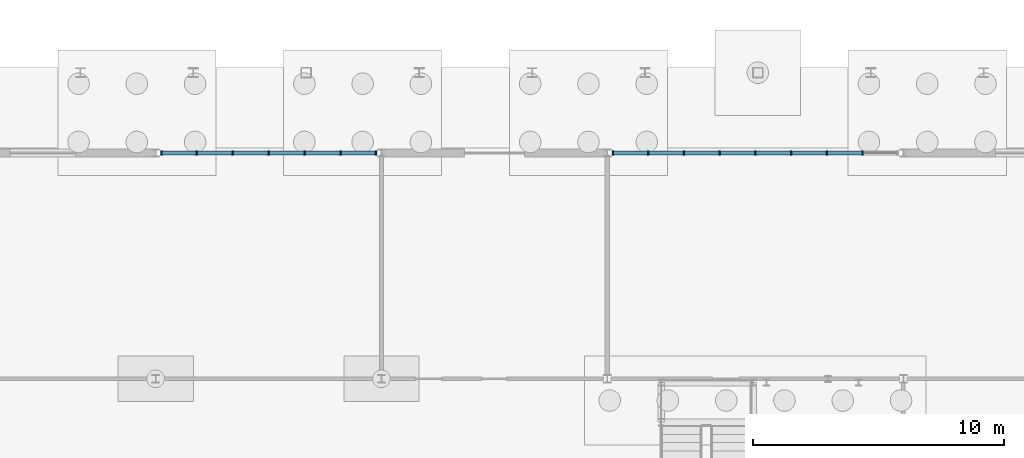
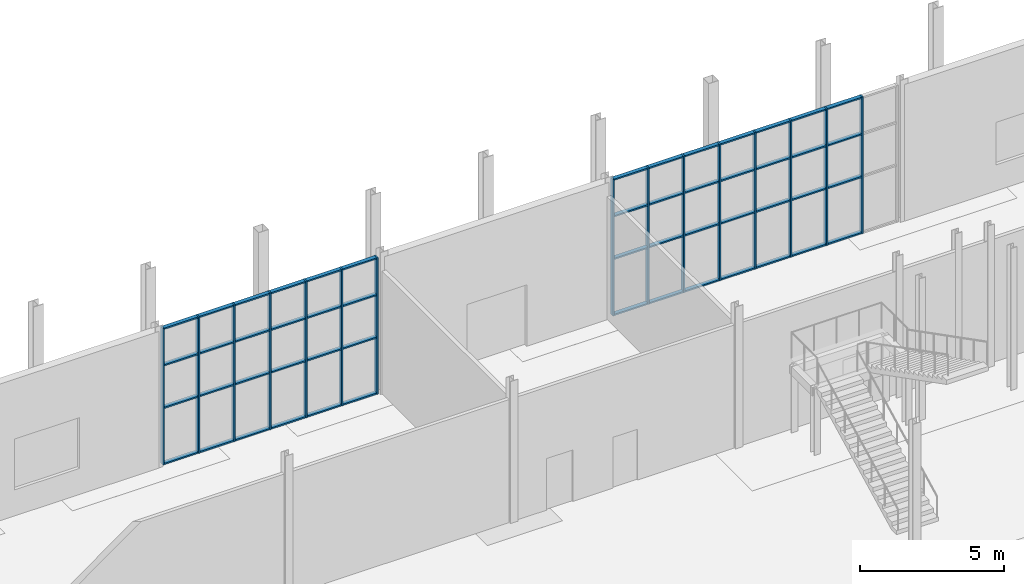
# One storey, part 70 of 131: 67 members, 2 elements without a shape of their own.
"""IFC4 building model written with IfcOpenShell, lengths in metres."""

from ifc_helpers import new_model, si_unit, direction, frame, origin, origin_2d, place, context, subcontext, project, spatial, rectangle, extrude, material, layer, layer_set, material_profile, profile_set, type_object, element, aggregate, save


model = new_model("IFC4")

# Units and contexts
model_context = context("Model", 3, precision=1e-05, world=origin(), true_north=direction((0.0, 1.0)))
body_context = subcontext(model_context, "Body", "Model", "MODEL_VIEW")
ifc_project = project(units=[si_unit("LENGTHUNIT", "METRE"), si_unit("AREAUNIT", "SQUARE_METRE"), si_unit("VOLUMEUNIT", "CUBIC_METRE"), si_unit("PLANEANGLEUNIT", "RADIAN"), si_unit("MASSUNIT", "GRAM", prefix="KILO")], contexts=[model_context])

# Site, building, storey
site_placement = place(None, origin())
site = spatial("IfcSite", under=ifc_project, at=site_placement, CompositionType="ELEMENT")
building_placement = place(site_placement, origin())
building = spatial("IfcBuilding", under=site, at=building_placement, Name="Cazmaro Siding Exhibition Halls", CompositionType="ELEMENT")
storey_placement = place(building_placement, origin())
storey = spatial("IfcBuildingStorey", under=building, at=storey_placement, Name="L00", CompositionType="ELEMENT", Elevation=0.0)

# Curtain wall, members
ifc_material_1 = material(Name="Anodized Bronze Aluminum and Solar-Control Low-E Glazing", Category="aluminium")
ifc_layer = layer(ifc_material_1, 0.179931640625)
ifc_layer_set = layer_set([ifc_layer], Name="Anodized Bronze Aluminum and Solar-Control Low-E Glazing")
curtain_wall_type = type_object("IfcCurtainWallType", Name="CWS-01", PredefinedType="USERDEFINED", material=ifc_layer_set)
curtain_wall_1_placement = place(storey_placement, origin())
curtain_wall_1 = element("IfcCurtainWall", 1, at=curtain_wall_1_placement, inside=storey, type_object=curtain_wall_type, Name="Glazed Curtain Wall CWS-01 CW-038", ObjectType="GLAZED CURTAIN WALL", PredefinedType="USERDEFINED")
ifc_material_2 = material(Name="Anodized Bronze Extruded Aluminum", Category="aluminium")
ifc_material_profile_1 = material_profile(ifc_material_2, rectangle(XDim=0.179931640625, YDim=0.06005859375, at=origin_2d()), Name="CWM-01")
ifc_profile_set_1 = profile_set([ifc_material_profile_1], Name="Anodized Bronze Extruded Aluminum")
member_type_1 = type_object("IfcMemberType", Name="CWM-01", PredefinedType="MULLION", material=ifc_profile_set_1)
member_1_placement = place(storey_placement, frame((137.77294921875, 120.800048828125, 0.0), z_axis=(0.0, 0.0, 1.0), x_axis=(0.0, -1.0, 0.0)))
member_1 = element("IfcMember", 2, at=member_1_placement, type_object=member_type_1, Name="CWS-01 mullion 1", PredefinedType="MULLION", context=body_context, shape_type="SweptSolid", body=[
    extrude(rectangle(XDim=0.179931640625, YDim=0.06005859375, at=origin_2d()), origin(), (0.0, 0.0, 1.0), 5.780029296875),
])
member_2_placement = place(storey_placement, frame((136.36865234375, 120.800048828125, 0.0), z_axis=(0.0, 0.0, 1.0), x_axis=(0.0, -1.0, 0.0)))
member_2 = element("IfcMember", 3, at=member_2_placement, type_object=member_type_1, Name="CWS-01 mullion 2", PredefinedType="MULLION", context=body_context, shape_type="SweptSolid", body=[
    extrude(rectangle(XDim=0.179931640625, YDim=0.06005859375, at=origin_2d()), origin(), (0.0, 0.0, 1.0), 5.780029296875),
])
member_3_placement = place(storey_placement, frame((134.934326171875, 120.800048828125, 0.0), z_axis=(0.0, 0.0, 1.0), x_axis=(0.0, -1.0, 0.0)))
member_3 = element("IfcMember", 4, at=member_3_placement, type_object=member_type_1, Name="CWS-01 mullion 3", PredefinedType="MULLION", context=body_context, shape_type="SweptSolid", body=[
    extrude(rectangle(XDim=0.179931640625, YDim=0.06005859375, at=origin_2d()), origin(), (0.0, 0.0, 1.0), 5.780029296875),
])
member_4_placement = place(storey_placement, frame((133.5, 120.800048828125, 0.0), z_axis=(0.0, 0.0, 1.0), x_axis=(0.0, -1.0, 0.0)))
member_4 = element("IfcMember", 5, at=member_4_placement, type_object=member_type_1, Name="CWS-01 mullion 4", PredefinedType="MULLION", context=body_context, shape_type="SweptSolid", body=[
    extrude(rectangle(XDim=0.179931640625, YDim=0.06005859375, at=origin_2d()), origin(), (0.0, 0.0, 1.0), 5.780029296875),
])
member_5_placement = place(storey_placement, frame((132.065673828125, 120.800048828125, 0.0), z_axis=(0.0, 0.0, 1.0), x_axis=(0.0, -1.0, 0.0)))
member_5 = element("IfcMember", 6, at=member_5_placement, type_object=member_type_1, Name="CWS-01 mullion 5", PredefinedType="MULLION", context=body_context, shape_type="SweptSolid", body=[
    extrude(rectangle(XDim=0.179931640625, YDim=0.06005859375, at=origin_2d()), origin(), (0.0, 0.0, 1.0), 5.780029296875),
])
member_6_placement = place(storey_placement, frame((130.63134765625, 120.800048828125, 0.0), z_axis=(0.0, 0.0, 1.0), x_axis=(0.0, -1.0, 0.0)))
member_6 = element("IfcMember", 7, at=member_6_placement, type_object=member_type_1, Name="CWS-01 mullion 6", PredefinedType="MULLION", context=body_context, shape_type="SweptSolid", body=[
    extrude(rectangle(XDim=0.179931640625, YDim=0.06005859375, at=origin_2d()), origin(), (0.0, 0.0, 1.0), 5.780029296875),
])
member_7_placement = place(storey_placement, frame((129.22705078125, 120.800048828125, 0.0), z_axis=(0.0, 0.0, 1.0), x_axis=(0.0, -1.0, 0.0)))
member_7 = element("IfcMember", 8, at=member_7_placement, type_object=member_type_1, Name="CWS-01 mullion 7", PredefinedType="MULLION", context=body_context, shape_type="SweptSolid", body=[
    extrude(rectangle(XDim=0.179931640625, YDim=0.06005859375, at=origin_2d()), origin(), (0.0, 0.0, 1.0), 5.780029296875),
])

curtain_wall_2_placement = place(storey_placement, origin())
curtain_wall_2 = element("IfcCurtainWall", 9, at=curtain_wall_2_placement, inside=storey, type_object=curtain_wall_type, Name="Glazed Curtain Wall CWS-01 CW-046", ObjectType="GLAZED CURTAIN WALL", PredefinedType="USERDEFINED")
member_8_placement = place(storey_placement, frame((157.17724609375, 120.800048828125, 0.0), z_axis=(0.0, 0.0, 1.0), x_axis=(0.0, -1.0, 0.0)))
member_8 = element("IfcMember", 10, at=member_8_placement, type_object=member_type_1, Name="CWS-01 mullion 2", PredefinedType="MULLION", context=body_context, shape_type="SweptSolid", body=[
    extrude(rectangle(XDim=0.179931640625, YDim=0.06005859375, at=origin_2d()), origin(), (0.0, 0.0, 1.0), 5.780029296875),
])
member_9_placement = place(storey_placement, frame((155.75146484375, 120.800048828125, 0.0), z_axis=(0.0, 0.0, 1.0), x_axis=(0.0, -1.0, 0.0)))
member_9 = element("IfcMember", 11, at=member_9_placement, type_object=member_type_1, Name="CWS-01 mullion 3", PredefinedType="MULLION", context=body_context, shape_type="SweptSolid", body=[
    extrude(rectangle(XDim=0.179931640625, YDim=0.06005859375, at=origin_2d()), origin(), (0.0, 0.0, 1.0), 5.780029296875),
])
member_10_placement = place(storey_placement, frame((154.32568359375, 120.800048828125, 0.0), z_axis=(0.0, 0.0, 1.0), x_axis=(0.0, -1.0, 0.0)))
member_10 = element("IfcMember", 12, at=member_10_placement, type_object=member_type_1, Name="CWS-01 mullion 4", PredefinedType="MULLION", context=body_context, shape_type="SweptSolid", body=[
    extrude(rectangle(XDim=0.179931640625, YDim=0.06005859375, at=origin_2d()), origin(), (0.0, 0.0, 1.0), 5.780029296875),
])
member_11_placement = place(storey_placement, frame((152.89990234375, 120.800048828125, 0.0), z_axis=(0.0, 0.0, 1.0), x_axis=(0.0, -1.0, 0.0)))
member_11 = element("IfcMember", 13, at=member_11_placement, type_object=member_type_1, Name="CWS-01 mullion 5", PredefinedType="MULLION", context=body_context, shape_type="SweptSolid", body=[
    extrude(rectangle(XDim=0.179931640625, YDim=0.06005859375, at=origin_2d()), origin(), (0.0, 0.0, 1.0), 5.780029296875),
])
member_12_placement = place(storey_placement, frame((151.474365234375, 120.800048828125, 0.0), z_axis=(0.0, 0.0, 1.0), x_axis=(0.0, -1.0, 0.0)))
member_12 = element("IfcMember", 14, at=member_12_placement, type_object=member_type_1, Name="CWS-01 mullion 6", PredefinedType="MULLION", context=body_context, shape_type="SweptSolid", body=[
    extrude(rectangle(XDim=0.179931640625, YDim=0.06005859375, at=origin_2d()), origin(), (0.0, 0.0, 1.0), 5.780029296875),
])
member_13_placement = place(storey_placement, frame((150.048583984375, 120.800048828125, 0.0), z_axis=(0.0, 0.0, 1.0), x_axis=(0.0, -1.0, 0.0)))
member_13 = element("IfcMember", 15, at=member_13_placement, type_object=member_type_1, Name="CWS-01 mullion 7", PredefinedType="MULLION", context=body_context, shape_type="SweptSolid", body=[
    extrude(rectangle(XDim=0.179931640625, YDim=0.06005859375, at=origin_2d()), origin(), (0.0, 0.0, 1.0), 5.780029296875),
])
member_14_placement = place(storey_placement, frame((148.622802734375, 120.800048828125, 0.0), z_axis=(0.0, 0.0, 1.0), x_axis=(0.0, -1.0, 0.0)))
member_14 = element("IfcMember", 16, at=member_14_placement, type_object=member_type_1, Name="CWS-01 mullion 8", PredefinedType="MULLION", context=body_context, shape_type="SweptSolid", body=[
    extrude(rectangle(XDim=0.179931640625, YDim=0.06005859375, at=origin_2d()), origin(), (0.0, 0.0, 1.0), 5.780029296875),
])
member_15_placement = place(storey_placement, frame((147.22705078125, 120.800048828125, 0.0), z_axis=(0.0, 0.0, 1.0), x_axis=(0.0, -1.0, 0.0)))
member_15 = element("IfcMember", 17, at=member_15_placement, type_object=member_type_1, Name="CWS-01 mullion 9", PredefinedType="MULLION", context=body_context, shape_type="SweptSolid", body=[
    extrude(rectangle(XDim=0.179931640625, YDim=0.06005859375, at=origin_2d()), origin(), (0.0, 0.0, 1.0), 5.780029296875),
])

# Member
ifc_material_3 = material(Name="Anodized Bronze Extruded Aluminum", Category="aluminium")
ifc_material_profile_2 = material_profile(ifc_material_3, rectangle(XDim=0.159912109375, YDim=0.06005859375, at=origin_2d()), Name="CWT-01")
ifc_profile_set_2 = profile_set([ifc_material_profile_2], Name="Anodized Bronze Extruded Aluminum")
member_type_2 = type_object("IfcMemberType", Name="CWT-01", PredefinedType="MULLION", material=ifc_profile_set_2)
member_16_placement = place(storey_placement, frame((137.742919921875, 120.800048828125, 0.030029296875), z_axis=(-1.0, 0.0, 0.0), x_axis=(0.0, -1.0, 0.0)))
member_16 = element("IfcMember", 18, at=member_16_placement, type_object=member_type_2, Name="CWS-01 transom 1.1", ObjectType="TRANSOM", PredefinedType="USERDEFINED", context=body_context, shape_type="SweptSolid", body=[
    extrude(rectangle(XDim=0.159912109375, YDim=0.06005859375, at=origin_2d()), origin(), (0.0, 0.0, 1.0), 1.34423828125),
])

member_17_placement = place(storey_placement, frame((137.742919921875, 120.800048828125, 2.39990234375), z_axis=(-1.0, 0.0, 0.0), x_axis=(0.0, -1.0, 0.0)))
member_17 = element("IfcMember", 19, at=member_17_placement, type_object=member_type_2, Name="CWS-01 transom 1.2", ObjectType="TRANSOM", PredefinedType="USERDEFINED", context=body_context, shape_type="SweptSolid", body=[
    extrude(rectangle(XDim=0.159912109375, YDim=0.06005859375, at=origin_2d()), origin(), (0.0, 0.0, 1.0), 1.34423828125),
])

member_18_placement = place(storey_placement, frame((137.742919921875, 120.800048828125, 4.199951171875), z_axis=(-1.0, 0.0, 0.0), x_axis=(0.0, -1.0, 0.0)))
member_18 = element("IfcMember", 20, at=member_18_placement, type_object=member_type_2, Name="CWS-01 transom 1.3", ObjectType="TRANSOM", PredefinedType="USERDEFINED", context=body_context, shape_type="SweptSolid", body=[
    extrude(rectangle(XDim=0.159912109375, YDim=0.06005859375, at=origin_2d()), origin(), (0.0, 0.0, 1.0), 1.34423828125),
])

member_19_placement = place(storey_placement, frame((137.742919921875, 120.800048828125, 5.75), z_axis=(-1.0, 0.0, 0.0), x_axis=(0.0, -1.0, 0.0)))
member_19 = element("IfcMember", 21, at=member_19_placement, type_object=member_type_2, Name="CWS-01 transom 1.4", ObjectType="TRANSOM", PredefinedType="USERDEFINED", context=body_context, shape_type="SweptSolid", body=[
    extrude(rectangle(XDim=0.159912109375, YDim=0.06005859375, at=origin_2d()), origin(), (0.0, 0.0, 1.0), 1.34423828125),
])

member_20_placement = place(storey_placement, frame((136.338623046875, 120.800048828125, 0.030029296875), z_axis=(-1.0, 0.0, 0.0), x_axis=(0.0, -1.0, 0.0)))
member_20 = element("IfcMember", 22, at=member_20_placement, type_object=member_type_2, Name="CWS-01 transom 2.1", ObjectType="TRANSOM", PredefinedType="USERDEFINED", context=body_context, shape_type="SweptSolid", body=[
    extrude(rectangle(XDim=0.159912109375, YDim=0.06005859375, at=origin_2d()), origin(), (0.0, 0.0, 1.0), 1.374267578125),
])

member_21_placement = place(storey_placement, frame((136.338623046875, 120.800048828125, 2.39990234375), z_axis=(-1.0, 0.0, 0.0), x_axis=(0.0, -1.0, 0.0)))
member_21 = element("IfcMember", 23, at=member_21_placement, type_object=member_type_2, Name="CWS-01 transom 2.2", ObjectType="TRANSOM", PredefinedType="USERDEFINED", context=body_context, shape_type="SweptSolid", body=[
    extrude(rectangle(XDim=0.159912109375, YDim=0.06005859375, at=origin_2d()), origin(), (0.0, 0.0, 1.0), 1.374267578125),
])

member_22_placement = place(storey_placement, frame((136.338623046875, 120.800048828125, 4.199951171875), z_axis=(-1.0, 0.0, 0.0), x_axis=(0.0, -1.0, 0.0)))
member_22 = element("IfcMember", 24, at=member_22_placement, type_object=member_type_2, Name="CWS-01 transom 2.3", ObjectType="TRANSOM", PredefinedType="USERDEFINED", context=body_context, shape_type="SweptSolid", body=[
    extrude(rectangle(XDim=0.159912109375, YDim=0.06005859375, at=origin_2d()), origin(), (0.0, 0.0, 1.0), 1.374267578125),
])

member_23_placement = place(storey_placement, frame((136.338623046875, 120.800048828125, 5.75), z_axis=(-1.0, 0.0, 0.0), x_axis=(0.0, -1.0, 0.0)))
member_23 = element("IfcMember", 25, at=member_23_placement, type_object=member_type_2, Name="CWS-01 transom 2.4", ObjectType="TRANSOM", PredefinedType="USERDEFINED", context=body_context, shape_type="SweptSolid", body=[
    extrude(rectangle(XDim=0.159912109375, YDim=0.06005859375, at=origin_2d()), origin(), (0.0, 0.0, 1.0), 1.374267578125),
])

member_24_placement = place(storey_placement, frame((134.904296875, 120.800048828125, 0.030029296875), z_axis=(-1.0, 0.0, 0.0), x_axis=(0.0, -1.0, 0.0)))
member_24 = element("IfcMember", 26, at=member_24_placement, type_object=member_type_2, Name="CWS-01 transom 3.1", ObjectType="TRANSOM", PredefinedType="USERDEFINED", context=body_context, shape_type="SweptSolid", body=[
    extrude(rectangle(XDim=0.159912109375, YDim=0.06005859375, at=origin_2d()), origin(), (0.0, 0.0, 1.0), 1.374267578125),
])

member_25_placement = place(storey_placement, frame((134.904296875, 120.800048828125, 2.39990234375), z_axis=(-1.0, 0.0, 0.0), x_axis=(0.0, -1.0, 0.0)))
member_25 = element("IfcMember", 27, at=member_25_placement, type_object=member_type_2, Name="CWS-01 transom 3.2", ObjectType="TRANSOM", PredefinedType="USERDEFINED", context=body_context, shape_type="SweptSolid", body=[
    extrude(rectangle(XDim=0.159912109375, YDim=0.06005859375, at=origin_2d()), origin(), (0.0, 0.0, 1.0), 1.374267578125),
])

member_26_placement = place(storey_placement, frame((134.904296875, 120.800048828125, 4.199951171875), z_axis=(-1.0, 0.0, 0.0), x_axis=(0.0, -1.0, 0.0)))
member_26 = element("IfcMember", 28, at=member_26_placement, type_object=member_type_2, Name="CWS-01 transom 3.3", ObjectType="TRANSOM", PredefinedType="USERDEFINED", context=body_context, shape_type="SweptSolid", body=[
    extrude(rectangle(XDim=0.159912109375, YDim=0.06005859375, at=origin_2d()), origin(), (0.0, 0.0, 1.0), 1.374267578125),
])

member_27_placement = place(storey_placement, frame((134.904296875, 120.800048828125, 5.75), z_axis=(-1.0, 0.0, 0.0), x_axis=(0.0, -1.0, 0.0)))
member_27 = element("IfcMember", 29, at=member_27_placement, type_object=member_type_2, Name="CWS-01 transom 3.4", ObjectType="TRANSOM", PredefinedType="USERDEFINED", context=body_context, shape_type="SweptSolid", body=[
    extrude(rectangle(XDim=0.159912109375, YDim=0.06005859375, at=origin_2d()), origin(), (0.0, 0.0, 1.0), 1.374267578125),
])

member_28_placement = place(storey_placement, frame((133.469970703125, 120.800048828125, 0.030029296875), z_axis=(-1.0, 0.0, 0.0), x_axis=(0.0, -1.0, 0.0)))
member_28 = element("IfcMember", 30, at=member_28_placement, type_object=member_type_2, Name="CWS-01 transom 4.1", ObjectType="TRANSOM", PredefinedType="USERDEFINED", context=body_context, shape_type="SweptSolid", body=[
    extrude(rectangle(XDim=0.159912109375, YDim=0.06005859375, at=origin_2d()), origin(), (0.0, 0.0, 1.0), 1.374267578125),
])

member_29_placement = place(storey_placement, frame((133.469970703125, 120.800048828125, 2.39990234375), z_axis=(-1.0, 0.0, 0.0), x_axis=(0.0, -1.0, 0.0)))
member_29 = element("IfcMember", 31, at=member_29_placement, type_object=member_type_2, Name="CWS-01 transom 4.2", ObjectType="TRANSOM", PredefinedType="USERDEFINED", context=body_context, shape_type="SweptSolid", body=[
    extrude(rectangle(XDim=0.159912109375, YDim=0.06005859375, at=origin_2d()), origin(), (0.0, 0.0, 1.0), 1.374267578125),
])

member_30_placement = place(storey_placement, frame((133.469970703125, 120.800048828125, 4.199951171875), z_axis=(-1.0, 0.0, 0.0), x_axis=(0.0, -1.0, 0.0)))
member_30 = element("IfcMember", 32, at=member_30_placement, type_object=member_type_2, Name="CWS-01 transom 4.3", ObjectType="TRANSOM", PredefinedType="USERDEFINED", context=body_context, shape_type="SweptSolid", body=[
    extrude(rectangle(XDim=0.159912109375, YDim=0.06005859375, at=origin_2d()), origin(), (0.0, 0.0, 1.0), 1.374267578125),
])

member_31_placement = place(storey_placement, frame((133.469970703125, 120.800048828125, 5.75), z_axis=(-1.0, 0.0, 0.0), x_axis=(0.0, -1.0, 0.0)))
member_31 = element("IfcMember", 33, at=member_31_placement, type_object=member_type_2, Name="CWS-01 transom 4.4", ObjectType="TRANSOM", PredefinedType="USERDEFINED", context=body_context, shape_type="SweptSolid", body=[
    extrude(rectangle(XDim=0.159912109375, YDim=0.06005859375, at=origin_2d()), origin(), (0.0, 0.0, 1.0), 1.374267578125),
])

member_32_placement = place(storey_placement, frame((132.03564453125, 120.800048828125, 0.030029296875), z_axis=(-1.0, 0.0, 0.0), x_axis=(0.0, -1.0, 0.0)))
member_32 = element("IfcMember", 34, at=member_32_placement, type_object=member_type_2, Name="CWS-01 transom 5.1", ObjectType="TRANSOM", PredefinedType="USERDEFINED", context=body_context, shape_type="SweptSolid", body=[
    extrude(rectangle(XDim=0.159912109375, YDim=0.06005859375, at=origin_2d()), origin(), (0.0, 0.0, 1.0), 1.374267578125),
])

member_33_placement = place(storey_placement, frame((132.03564453125, 120.800048828125, 2.39990234375), z_axis=(-1.0, 0.0, 0.0), x_axis=(0.0, -1.0, 0.0)))
member_33 = element("IfcMember", 35, at=member_33_placement, type_object=member_type_2, Name="CWS-01 transom 5.2", ObjectType="TRANSOM", PredefinedType="USERDEFINED", context=body_context, shape_type="SweptSolid", body=[
    extrude(rectangle(XDim=0.159912109375, YDim=0.06005859375, at=origin_2d()), origin(), (0.0, 0.0, 1.0), 1.374267578125),
])

member_34_placement = place(storey_placement, frame((132.03564453125, 120.800048828125, 4.199951171875), z_axis=(-1.0, 0.0, 0.0), x_axis=(0.0, -1.0, 0.0)))
member_34 = element("IfcMember", 36, at=member_34_placement, type_object=member_type_2, Name="CWS-01 transom 5.3", ObjectType="TRANSOM", PredefinedType="USERDEFINED", context=body_context, shape_type="SweptSolid", body=[
    extrude(rectangle(XDim=0.159912109375, YDim=0.06005859375, at=origin_2d()), origin(), (0.0, 0.0, 1.0), 1.374267578125),
])

member_35_placement = place(storey_placement, frame((132.03564453125, 120.800048828125, 5.75), z_axis=(-1.0, 0.0, 0.0), x_axis=(0.0, -1.0, 0.0)))
member_35 = element("IfcMember", 37, at=member_35_placement, type_object=member_type_2, Name="CWS-01 transom 5.4", ObjectType="TRANSOM", PredefinedType="USERDEFINED", context=body_context, shape_type="SweptSolid", body=[
    extrude(rectangle(XDim=0.159912109375, YDim=0.06005859375, at=origin_2d()), origin(), (0.0, 0.0, 1.0), 1.374267578125),
])

member_36_placement = place(storey_placement, frame((130.601318359375, 120.800048828125, 0.030029296875), z_axis=(-1.0, 0.0, 0.0), x_axis=(0.0, -1.0, 0.0)))
member_36 = element("IfcMember", 38, at=member_36_placement, type_object=member_type_2, Name="CWS-01 transom 6.1", ObjectType="TRANSOM", PredefinedType="USERDEFINED", context=body_context, shape_type="SweptSolid", body=[
    extrude(rectangle(XDim=0.159912109375, YDim=0.06005859375, at=origin_2d()), origin(), (0.0, 0.0, 1.0), 1.34423828125),
])

member_37_placement = place(storey_placement, frame((130.601318359375, 120.800048828125, 2.39990234375), z_axis=(-1.0, 0.0, 0.0), x_axis=(0.0, -1.0, 0.0)))
member_37 = element("IfcMember", 39, at=member_37_placement, type_object=member_type_2, Name="CWS-01 transom 6.2", ObjectType="TRANSOM", PredefinedType="USERDEFINED", context=body_context, shape_type="SweptSolid", body=[
    extrude(rectangle(XDim=0.159912109375, YDim=0.06005859375, at=origin_2d()), origin(), (0.0, 0.0, 1.0), 1.34423828125),
])

member_38_placement = place(storey_placement, frame((130.601318359375, 120.800048828125, 4.199951171875), z_axis=(-1.0, 0.0, 0.0), x_axis=(0.0, -1.0, 0.0)))
member_38 = element("IfcMember", 40, at=member_38_placement, type_object=member_type_2, Name="CWS-01 transom 6.3", ObjectType="TRANSOM", PredefinedType="USERDEFINED", context=body_context, shape_type="SweptSolid", body=[
    extrude(rectangle(XDim=0.159912109375, YDim=0.06005859375, at=origin_2d()), origin(), (0.0, 0.0, 1.0), 1.34423828125),
])

member_39_placement = place(storey_placement, frame((130.601318359375, 120.800048828125, 5.75), z_axis=(-1.0, 0.0, 0.0), x_axis=(0.0, -1.0, 0.0)))
member_39 = element("IfcMember", 41, at=member_39_placement, type_object=member_type_2, Name="CWS-01 transom 6.4", ObjectType="TRANSOM", PredefinedType="USERDEFINED", context=body_context, shape_type="SweptSolid", body=[
    extrude(rectangle(XDim=0.159912109375, YDim=0.06005859375, at=origin_2d()), origin(), (0.0, 0.0, 1.0), 1.34423828125),
])

aggregate(curtain_wall_1, [member_1, member_2, member_3, member_4, member_5, member_6, member_7, member_16, member_17, member_18, member_19, member_20, member_21, member_22, member_23, member_24, member_25, member_26, member_27, member_28, member_29, member_30, member_31, member_32, member_33, member_34, member_35, member_36, member_37, member_38, member_39])

member_40_placement = place(storey_placement, frame((157.147216796875, 120.800048828125, 0.030029296875), z_axis=(-1.0, 0.0, 0.0), x_axis=(0.0, -1.0, 0.0)))
member_40 = element("IfcMember", 42, at=member_40_placement, type_object=member_type_2, Name="CWS-01 transom 2.1", ObjectType="TRANSOM", PredefinedType="USERDEFINED", context=body_context, shape_type="SweptSolid", body=[
    extrude(rectangle(XDim=0.159912109375, YDim=0.06005859375, at=origin_2d()), origin(), (0.0, 0.0, 1.0), 1.36572265625),
])

member_41_placement = place(storey_placement, frame((157.147216796875, 120.800048828125, 2.39990234375), z_axis=(-1.0, 0.0, 0.0), x_axis=(0.0, -1.0, 0.0)))
member_41 = element("IfcMember", 43, at=member_41_placement, type_object=member_type_2, Name="CWS-01 transom 2.2", ObjectType="TRANSOM", PredefinedType="USERDEFINED", context=body_context, shape_type="SweptSolid", body=[
    extrude(rectangle(XDim=0.159912109375, YDim=0.06005859375, at=origin_2d()), origin(), (0.0, 0.0, 1.0), 1.36572265625),
])

member_42_placement = place(storey_placement, frame((157.147216796875, 120.800048828125, 4.199951171875), z_axis=(-1.0, 0.0, 0.0), x_axis=(0.0, -1.0, 0.0)))
member_42 = element("IfcMember", 44, at=member_42_placement, type_object=member_type_2, Name="CWS-01 transom 2.3", ObjectType="TRANSOM", PredefinedType="USERDEFINED", context=body_context, shape_type="SweptSolid", body=[
    extrude(rectangle(XDim=0.159912109375, YDim=0.06005859375, at=origin_2d()), origin(), (0.0, 0.0, 1.0), 1.36572265625),
])

member_43_placement = place(storey_placement, frame((157.147216796875, 120.800048828125, 5.75), z_axis=(-1.0, 0.0, 0.0), x_axis=(0.0, -1.0, 0.0)))
member_43 = element("IfcMember", 45, at=member_43_placement, type_object=member_type_2, Name="CWS-01 transom 2.4", ObjectType="TRANSOM", PredefinedType="USERDEFINED", context=body_context, shape_type="SweptSolid", body=[
    extrude(rectangle(XDim=0.159912109375, YDim=0.06005859375, at=origin_2d()), origin(), (0.0, 0.0, 1.0), 1.36572265625),
])

member_44_placement = place(storey_placement, frame((155.721435546875, 120.800048828125, 0.030029296875), z_axis=(-1.0, 0.0, 0.0), x_axis=(0.0, -1.0, 0.0)))
member_44 = element("IfcMember", 46, at=member_44_placement, type_object=member_type_2, Name="CWS-01 transom 3.1", ObjectType="TRANSOM", PredefinedType="USERDEFINED", context=body_context, shape_type="SweptSolid", body=[
    extrude(rectangle(XDim=0.159912109375, YDim=0.06005859375, at=origin_2d()), origin(), (0.0, 0.0, 1.0), 1.36572265625),
])

member_45_placement = place(storey_placement, frame((155.721435546875, 120.800048828125, 2.39990234375), z_axis=(-1.0, 0.0, 0.0), x_axis=(0.0, -1.0, 0.0)))
member_45 = element("IfcMember", 47, at=member_45_placement, type_object=member_type_2, Name="CWS-01 transom 3.2", ObjectType="TRANSOM", PredefinedType="USERDEFINED", context=body_context, shape_type="SweptSolid", body=[
    extrude(rectangle(XDim=0.159912109375, YDim=0.06005859375, at=origin_2d()), origin(), (0.0, 0.0, 1.0), 1.36572265625),
])

member_46_placement = place(storey_placement, frame((155.721435546875, 120.800048828125, 4.199951171875), z_axis=(-1.0, 0.0, 0.0), x_axis=(0.0, -1.0, 0.0)))
member_46 = element("IfcMember", 48, at=member_46_placement, type_object=member_type_2, Name="CWS-01 transom 3.3", ObjectType="TRANSOM", PredefinedType="USERDEFINED", context=body_context, shape_type="SweptSolid", body=[
    extrude(rectangle(XDim=0.159912109375, YDim=0.06005859375, at=origin_2d()), origin(), (0.0, 0.0, 1.0), 1.36572265625),
])

member_47_placement = place(storey_placement, frame((155.721435546875, 120.800048828125, 5.75), z_axis=(-1.0, 0.0, 0.0), x_axis=(0.0, -1.0, 0.0)))
member_47 = element("IfcMember", 49, at=member_47_placement, type_object=member_type_2, Name="CWS-01 transom 3.4", ObjectType="TRANSOM", PredefinedType="USERDEFINED", context=body_context, shape_type="SweptSolid", body=[
    extrude(rectangle(XDim=0.159912109375, YDim=0.06005859375, at=origin_2d()), origin(), (0.0, 0.0, 1.0), 1.36572265625),
])

member_48_placement = place(storey_placement, frame((154.295654296875, 120.800048828125, 0.030029296875), z_axis=(-1.0, 0.0, 0.0), x_axis=(0.0, -1.0, 0.0)))
member_48 = element("IfcMember", 50, at=member_48_placement, type_object=member_type_2, Name="CWS-01 transom 4.1", ObjectType="TRANSOM", PredefinedType="USERDEFINED", context=body_context, shape_type="SweptSolid", body=[
    extrude(rectangle(XDim=0.159912109375, YDim=0.06005859375, at=origin_2d()), origin(), (0.0, 0.0, 1.0), 1.36572265625),
])

member_49_placement = place(storey_placement, frame((154.295654296875, 120.800048828125, 2.39990234375), z_axis=(-1.0, 0.0, 0.0), x_axis=(0.0, -1.0, 0.0)))
member_49 = element("IfcMember", 51, at=member_49_placement, type_object=member_type_2, Name="CWS-01 transom 4.2", ObjectType="TRANSOM", PredefinedType="USERDEFINED", context=body_context, shape_type="SweptSolid", body=[
    extrude(rectangle(XDim=0.159912109375, YDim=0.06005859375, at=origin_2d()), origin(), (0.0, 0.0, 1.0), 1.36572265625),
])

member_50_placement = place(storey_placement, frame((154.295654296875, 120.800048828125, 4.199951171875), z_axis=(-1.0, 0.0, 0.0), x_axis=(0.0, -1.0, 0.0)))
member_50 = element("IfcMember", 52, at=member_50_placement, type_object=member_type_2, Name="CWS-01 transom 4.3", ObjectType="TRANSOM", PredefinedType="USERDEFINED", context=body_context, shape_type="SweptSolid", body=[
    extrude(rectangle(XDim=0.159912109375, YDim=0.06005859375, at=origin_2d()), origin(), (0.0, 0.0, 1.0), 1.36572265625),
])

member_51_placement = place(storey_placement, frame((154.295654296875, 120.800048828125, 5.75), z_axis=(-1.0, 0.0, 0.0), x_axis=(0.0, -1.0, 0.0)))
member_51 = element("IfcMember", 53, at=member_51_placement, type_object=member_type_2, Name="CWS-01 transom 4.4", ObjectType="TRANSOM", PredefinedType="USERDEFINED", context=body_context, shape_type="SweptSolid", body=[
    extrude(rectangle(XDim=0.159912109375, YDim=0.06005859375, at=origin_2d()), origin(), (0.0, 0.0, 1.0), 1.36572265625),
])

member_52_placement = place(storey_placement, frame((152.8701171875, 120.800048828125, 0.030029296875), z_axis=(-1.0, 0.0, 0.0), x_axis=(0.0, -1.0, 0.0)))
member_52 = element("IfcMember", 54, at=member_52_placement, type_object=member_type_2, Name="CWS-01 transom 5.1", ObjectType="TRANSOM", PredefinedType="USERDEFINED", context=body_context, shape_type="SweptSolid", body=[
    extrude(rectangle(XDim=0.159912109375, YDim=0.06005859375, at=origin_2d()), origin(), (0.0, 0.0, 1.0), 1.365966796875),
])

member_53_placement = place(storey_placement, frame((152.8701171875, 120.800048828125, 2.39990234375), z_axis=(-1.0, 0.0, 0.0), x_axis=(0.0, -1.0, 0.0)))
member_53 = element("IfcMember", 55, at=member_53_placement, type_object=member_type_2, Name="CWS-01 transom 5.2", ObjectType="TRANSOM", PredefinedType="USERDEFINED", context=body_context, shape_type="SweptSolid", body=[
    extrude(rectangle(XDim=0.159912109375, YDim=0.06005859375, at=origin_2d()), origin(), (0.0, 0.0, 1.0), 1.365966796875),
])

member_54_placement = place(storey_placement, frame((152.8701171875, 120.800048828125, 4.199951171875), z_axis=(-1.0, 0.0, 0.0), x_axis=(0.0, -1.0, 0.0)))
member_54 = element("IfcMember", 56, at=member_54_placement, type_object=member_type_2, Name="CWS-01 transom 5.3", ObjectType="TRANSOM", PredefinedType="USERDEFINED", context=body_context, shape_type="SweptSolid", body=[
    extrude(rectangle(XDim=0.159912109375, YDim=0.06005859375, at=origin_2d()), origin(), (0.0, 0.0, 1.0), 1.365966796875),
])

member_55_placement = place(storey_placement, frame((152.8701171875, 120.800048828125, 5.75), z_axis=(-1.0, 0.0, 0.0), x_axis=(0.0, -1.0, 0.0)))
member_55 = element("IfcMember", 57, at=member_55_placement, type_object=member_type_2, Name="CWS-01 transom 5.4", ObjectType="TRANSOM", PredefinedType="USERDEFINED", context=body_context, shape_type="SweptSolid", body=[
    extrude(rectangle(XDim=0.159912109375, YDim=0.06005859375, at=origin_2d()), origin(), (0.0, 0.0, 1.0), 1.365966796875),
])

member_56_placement = place(storey_placement, frame((151.4443359375, 120.800048828125, 0.030029296875), z_axis=(-1.0, 0.0, 0.0), x_axis=(0.0, -1.0, 0.0)))
member_56 = element("IfcMember", 58, at=member_56_placement, type_object=member_type_2, Name="CWS-01 transom 6.1", ObjectType="TRANSOM", PredefinedType="USERDEFINED", context=body_context, shape_type="SweptSolid", body=[
    extrude(rectangle(XDim=0.159912109375, YDim=0.06005859375, at=origin_2d()), origin(), (0.0, 0.0, 1.0), 1.36572265625),
])

member_57_placement = place(storey_placement, frame((151.4443359375, 120.800048828125, 2.39990234375), z_axis=(-1.0, 0.0, 0.0), x_axis=(0.0, -1.0, 0.0)))
member_57 = element("IfcMember", 59, at=member_57_placement, type_object=member_type_2, Name="CWS-01 transom 6.2", ObjectType="TRANSOM", PredefinedType="USERDEFINED", context=body_context, shape_type="SweptSolid", body=[
    extrude(rectangle(XDim=0.159912109375, YDim=0.06005859375, at=origin_2d()), origin(), (0.0, 0.0, 1.0), 1.36572265625),
])

member_58_placement = place(storey_placement, frame((151.4443359375, 120.800048828125, 4.199951171875), z_axis=(-1.0, 0.0, 0.0), x_axis=(0.0, -1.0, 0.0)))
member_58 = element("IfcMember", 60, at=member_58_placement, type_object=member_type_2, Name="CWS-01 transom 6.3", ObjectType="TRANSOM", PredefinedType="USERDEFINED", context=body_context, shape_type="SweptSolid", body=[
    extrude(rectangle(XDim=0.159912109375, YDim=0.06005859375, at=origin_2d()), origin(), (0.0, 0.0, 1.0), 1.36572265625),
])

member_59_placement = place(storey_placement, frame((151.4443359375, 120.800048828125, 5.75), z_axis=(-1.0, 0.0, 0.0), x_axis=(0.0, -1.0, 0.0)))
member_59 = element("IfcMember", 61, at=member_59_placement, type_object=member_type_2, Name="CWS-01 transom 6.4", ObjectType="TRANSOM", PredefinedType="USERDEFINED", context=body_context, shape_type="SweptSolid", body=[
    extrude(rectangle(XDim=0.159912109375, YDim=0.06005859375, at=origin_2d()), origin(), (0.0, 0.0, 1.0), 1.36572265625),
])

member_60_placement = place(storey_placement, frame((150.0185546875, 120.800048828125, 0.030029296875), z_axis=(-1.0, 0.0, 0.0), x_axis=(0.0, -1.0, 0.0)))
member_60 = element("IfcMember", 62, at=member_60_placement, type_object=member_type_2, Name="CWS-01 transom 7.1", ObjectType="TRANSOM", PredefinedType="USERDEFINED", context=body_context, shape_type="SweptSolid", body=[
    extrude(rectangle(XDim=0.159912109375, YDim=0.06005859375, at=origin_2d()), origin(), (0.0, 0.0, 1.0), 1.36572265625),
])

member_61_placement = place(storey_placement, frame((150.0185546875, 120.800048828125, 2.39990234375), z_axis=(-1.0, 0.0, 0.0), x_axis=(0.0, -1.0, 0.0)))
member_61 = element("IfcMember", 63, at=member_61_placement, type_object=member_type_2, Name="CWS-01 transom 7.2", ObjectType="TRANSOM", PredefinedType="USERDEFINED", context=body_context, shape_type="SweptSolid", body=[
    extrude(rectangle(XDim=0.159912109375, YDim=0.06005859375, at=origin_2d()), origin(), (0.0, 0.0, 1.0), 1.36572265625),
])

member_62_placement = place(storey_placement, frame((150.0185546875, 120.800048828125, 4.199951171875), z_axis=(-1.0, 0.0, 0.0), x_axis=(0.0, -1.0, 0.0)))
member_62 = element("IfcMember", 64, at=member_62_placement, type_object=member_type_2, Name="CWS-01 transom 7.3", ObjectType="TRANSOM", PredefinedType="USERDEFINED", context=body_context, shape_type="SweptSolid", body=[
    extrude(rectangle(XDim=0.159912109375, YDim=0.06005859375, at=origin_2d()), origin(), (0.0, 0.0, 1.0), 1.36572265625),
])

member_63_placement = place(storey_placement, frame((150.0185546875, 120.800048828125, 5.75), z_axis=(-1.0, 0.0, 0.0), x_axis=(0.0, -1.0, 0.0)))
member_63 = element("IfcMember", 65, at=member_63_placement, type_object=member_type_2, Name="CWS-01 transom 7.4", ObjectType="TRANSOM", PredefinedType="USERDEFINED", context=body_context, shape_type="SweptSolid", body=[
    extrude(rectangle(XDim=0.159912109375, YDim=0.06005859375, at=origin_2d()), origin(), (0.0, 0.0, 1.0), 1.36572265625),
])

member_64_placement = place(storey_placement, frame((148.5927734375, 120.800048828125, 0.030029296875), z_axis=(-1.0, 0.0, 0.0), x_axis=(0.0, -1.0, 0.0)))
member_64 = element("IfcMember", 66, at=member_64_placement, type_object=member_type_2, Name="CWS-01 transom 8.1", ObjectType="TRANSOM", PredefinedType="USERDEFINED", context=body_context, shape_type="SweptSolid", body=[
    extrude(rectangle(XDim=0.159912109375, YDim=0.06005859375, at=origin_2d()), origin(), (0.0, 0.0, 1.0), 1.335693359375),
])

member_65_placement = place(storey_placement, frame((148.5927734375, 120.800048828125, 2.39990234375), z_axis=(-1.0, 0.0, 0.0), x_axis=(0.0, -1.0, 0.0)))
member_65 = element("IfcMember", 67, at=member_65_placement, type_object=member_type_2, Name="CWS-01 transom 8.2", ObjectType="TRANSOM", PredefinedType="USERDEFINED", context=body_context, shape_type="SweptSolid", body=[
    extrude(rectangle(XDim=0.159912109375, YDim=0.06005859375, at=origin_2d()), origin(), (0.0, 0.0, 1.0), 1.335693359375),
])

member_66_placement = place(storey_placement, frame((148.5927734375, 120.800048828125, 4.199951171875), z_axis=(-1.0, 0.0, 0.0), x_axis=(0.0, -1.0, 0.0)))
member_66 = element("IfcMember", 68, at=member_66_placement, type_object=member_type_2, Name="CWS-01 transom 8.3", ObjectType="TRANSOM", PredefinedType="USERDEFINED", context=body_context, shape_type="SweptSolid", body=[
    extrude(rectangle(XDim=0.159912109375, YDim=0.06005859375, at=origin_2d()), origin(), (0.0, 0.0, 1.0), 1.335693359375),
])

member_67_placement = place(storey_placement, frame((148.5927734375, 120.800048828125, 5.75), z_axis=(-1.0, 0.0, 0.0), x_axis=(0.0, -1.0, 0.0)))
member_67 = element("IfcMember", 69, at=member_67_placement, type_object=member_type_2, Name="CWS-01 transom 8.4", ObjectType="TRANSOM", PredefinedType="USERDEFINED", context=body_context, shape_type="SweptSolid", body=[
    extrude(rectangle(XDim=0.159912109375, YDim=0.06005859375, at=origin_2d()), origin(), (0.0, 0.0, 1.0), 1.335693359375),
])

aggregate(curtain_wall_2, [member_8, member_9, member_10, member_11, member_12, member_13, member_14, member_15, member_40, member_41, member_42, member_43, member_44, member_45, member_46, member_47, member_48, member_49, member_50, member_51, member_52, member_53, member_54, member_55, member_56, member_57, member_58, member_59, member_60, member_61, member_62, member_63, member_64, member_65, member_66, member_67])

save(model, "model.ifc")
